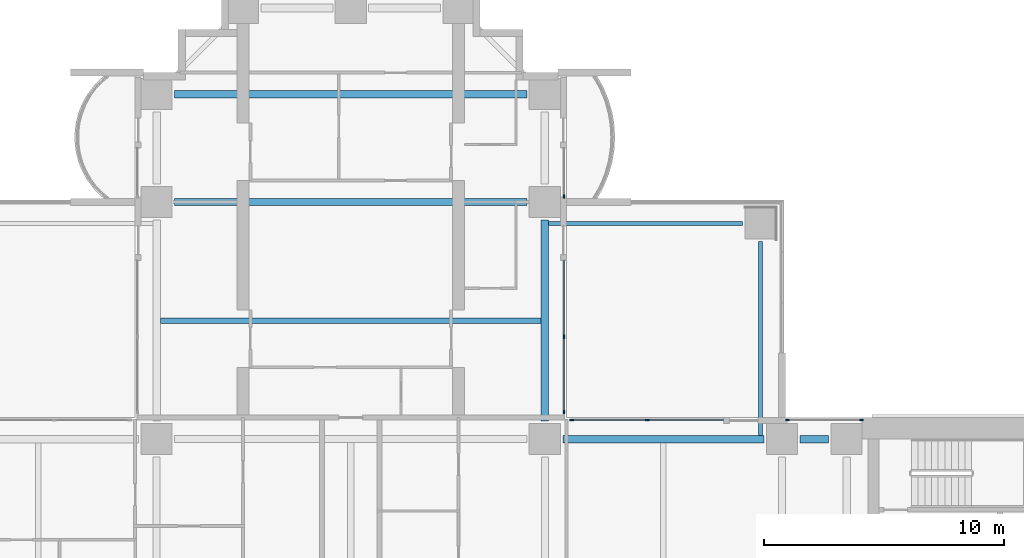
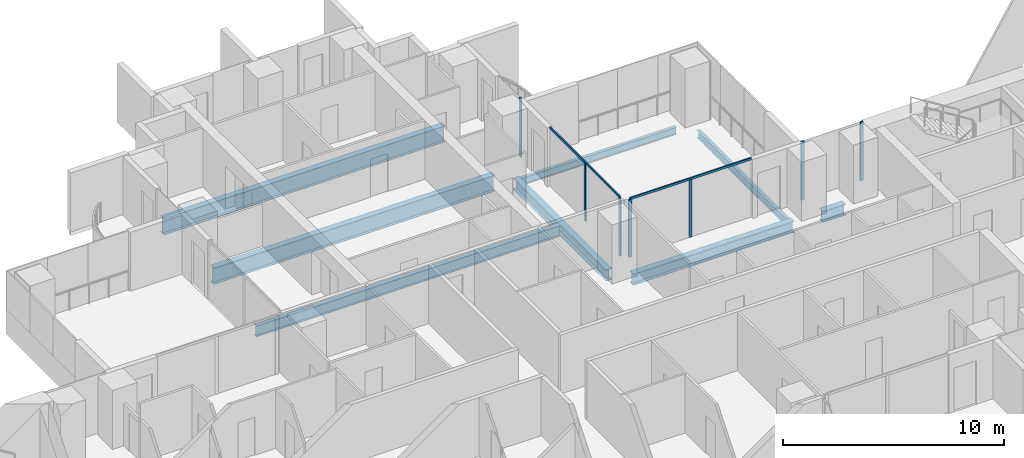
# One storey, part 7 of 23: 9 members, 8 beams, 4 elements without a shape of their own.
"""IFC4 building model written with IfcOpenShell, lengths in metres."""

from ifc_helpers import new_model, si_unit, direction, frame, origin, origin_2d, place, context, subcontext, project, spatial, rectangle, i_section, extrude, material, material_profile, profile_set, type_object, element, aggregate, save


model = new_model("IFC4")

# Units and contexts
model_context = context("Model", 3, precision=1e-05, world=origin(), true_north=direction((0.0, 1.0)))
body_context = subcontext(model_context, "Body", "Model", "MODEL_VIEW")
ifc_project = project(units=[si_unit("LENGTHUNIT", "METRE"), si_unit("AREAUNIT", "SQUARE_METRE"), si_unit("VOLUMEUNIT", "CUBIC_METRE"), si_unit("PLANEANGLEUNIT", "RADIAN"), si_unit("MASSUNIT", "GRAM", prefix="KILO")], contexts=[model_context])

# Site, building, storey
site_placement = place(None, origin())
site = spatial("IfcSite", under=ifc_project, at=site_placement, CompositionType="ELEMENT")
building_placement = place(site_placement, origin())
building = spatial("IfcBuilding", under=site, at=building_placement, Name="Perihelion Cross Residences", CompositionType="ELEMENT")
storey_placement = place(building_placement, frame((0.0, 0.0, 36.5)))
storey = spatial("IfcBuildingStorey", under=building, at=storey_placement, Name="L05", CompositionType="ELEMENT", Elevation=36.5)

# Curtain wall, members
ifc_material_1 = material(Name="Bronze anodised aluminium, tinted glazing", Category="aluminium")
curtain_wall_type = type_object("IfcCurtainWallType", Name="CW1", PredefinedType="NOTDEFINED", material=ifc_material_1)
curtain_wall_1_placement = place(storey_placement, origin())
curtain_wall_1 = element("IfcCurtainWall", 1, at=curtain_wall_1_placement, inside=storey, type_object=curtain_wall_type, Name="Curtain wall CW1 L05 east side north bay 1", PredefinedType="NOTDEFINED")
ifc_material_2 = material(Name="Bronze anodised aluminium", Category="aluminium")
ifc_material_profile_1 = material_profile(ifc_material_2, rectangle(XDim=0.06005859375, YDim=0.159912109375, at=origin_2d()), Name="CW1 mullion")
ifc_profile_set_1 = profile_set([ifc_material_profile_1], Name="Bronze anodised aluminium")
member_type_1 = type_object("IfcMemberType", Name="CW1 mullion", PredefinedType="MULLION", material=ifc_profile_set_1)
member_1_placement = place(storey_placement, frame((21.320068359375, 8.89990234375, 0.0), z_axis=(0.0, 0.0, 1.0), x_axis=(0.0, -1.0, 0.0)))
member_1 = element("IfcMember", 2, at=member_1_placement, type_object=member_type_1, Name="CW1 mullion 1", PredefinedType="MULLION", context=body_context, shape_type="SweptSolid", body=[
    extrude(rectangle(XDim=0.06005859375, YDim=0.159912109375, at=origin_2d()), origin(), (0.0, 0.0, 1.0), 3.25),
])
member_2_placement = place(storey_placement, frame((18.22998046875, 8.89990234375, 0.0), z_axis=(0.0, 0.0, 1.0), x_axis=(0.0, -1.0, 0.0)))
member_2 = element("IfcMember", 3, at=member_2_placement, type_object=member_type_1, Name="CW1 mullion 2", PredefinedType="MULLION", context=body_context, shape_type="SweptSolid", body=[
    extrude(rectangle(XDim=0.06005859375, YDim=0.159912109375, at=origin_2d()), origin(), (0.0, 0.0, 1.0), 3.25),
])
aggregate(curtain_wall_1, [member_1, member_2])

curtain_wall_2_placement = place(storey_placement, origin())
curtain_wall_2 = element("IfcCurtainWall", 4, at=curtain_wall_2_placement, inside=storey, type_object=curtain_wall_type, Name="Curtain wall CW1 L05 east side north bay 2", PredefinedType="NOTDEFINED")
member_3_placement = place(storey_placement, frame((12.375, 8.89990234375, 0.0), z_axis=(0.0, 0.0, 1.0), x_axis=(0.0, -1.0, 0.0)))
member_3 = element("IfcMember", 5, at=member_3_placement, type_object=member_type_1, Name="CW1 mullion 2", PredefinedType="MULLION", context=body_context, shape_type="SweptSolid", body=[
    extrude(rectangle(XDim=0.06005859375, YDim=0.159912109375, at=origin_2d()), origin(), (0.0, 0.0, 1.0), 3.18994140625),
])
member_4_placement = place(storey_placement, frame((9.22998046875, 8.89990234375, 0.0), z_axis=(0.0, 0.0, 1.0), x_axis=(0.0, -1.0, 0.0)))
member_4 = element("IfcMember", 6, at=member_4_placement, type_object=member_type_1, Name="CW1 mullion 3", PredefinedType="MULLION", context=body_context, shape_type="SweptSolid", body=[
    extrude(rectangle(XDim=0.06005859375, YDim=0.159912109375, at=origin_2d()), origin(), (0.0, 0.0, 1.0), 3.18994140625),
])

curtain_wall_3_placement = place(storey_placement, origin())
curtain_wall_3 = element("IfcCurtainWall", 7, at=curtain_wall_3_placement, inside=storey, type_object=curtain_wall_type, Name="Curtain wall CW1 L05 north side east bay 1", PredefinedType="NOTDEFINED")
member_5_placement = place(storey_placement, frame((8.89990234375, 9.22998046875, 0.0), z_axis=(0.0, 0.0, 1.0), x_axis=(-1.0, 0.0, 0.0)))
member_5 = element("IfcMember", 8, at=member_5_placement, type_object=member_type_1, Name="CW1 mullion 1", PredefinedType="MULLION", context=body_context, shape_type="SweptSolid", body=[
    extrude(rectangle(XDim=0.06005859375, YDim=0.159912109375, at=origin_2d()), origin(), (0.0, 0.0, 1.0), 3.18994140625),
])
member_6_placement = place(storey_placement, frame((8.89990234375, 12.375, 0.0), z_axis=(0.0, 0.0, 1.0), x_axis=(-1.0, 0.0, 0.0)))
member_6 = element("IfcMember", 9, at=member_6_placement, type_object=member_type_1, Name="CW1 mullion 2", PredefinedType="MULLION", context=body_context, shape_type="SweptSolid", body=[
    extrude(rectangle(XDim=0.06005859375, YDim=0.159912109375, at=origin_2d()), origin(), (0.0, 0.0, 1.0), 3.18994140625),
])

# Curtain wall, member
curtain_wall_4_placement = place(storey_placement, origin())
curtain_wall_4 = element("IfcCurtainWall", 10, at=curtain_wall_4_placement, inside=storey, type_object=curtain_wall_type, Name="Curtain wall CW1 L05 north side east bay 2", PredefinedType="NOTDEFINED")
member_7_placement = place(storey_placement, frame((8.89990234375, 18.22998046875, 0.0), z_axis=(0.0, 0.0, 1.0), x_axis=(-1.0, 0.0, 0.0)))
member_7 = element("IfcMember", 11, at=member_7_placement, type_object=member_type_1, Name="CW1 mullion 1", PredefinedType="MULLION", context=body_context, shape_type="SweptSolid", body=[
    extrude(rectangle(XDim=0.06005859375, YDim=0.159912109375, at=origin_2d()), origin(), (0.0, 0.0, 1.0), 3.25),
])
aggregate(curtain_wall_4, [member_7])

# Member
ifc_material_3 = material(Name="Bronze anodised aluminium", Category="aluminium")
ifc_material_profile_2 = material_profile(ifc_material_3, rectangle(XDim=0.06005859375, YDim=0.1201171875, at=origin_2d()), Name="CW1 transom")
ifc_profile_set_2 = profile_set([ifc_material_profile_2], Name="Bronze anodised aluminium")
member_type_2 = type_object("IfcMemberType", Name="CW1 transom", PredefinedType="USERDEFINED", material=ifc_profile_set_2)
member_8_placement = place(storey_placement, frame((15.550048828125, 8.89990234375, 3.219970703125), z_axis=(-1.0, 0.0, 0.0), x_axis=(0.0, -1.0, 0.0)))
member_8 = element("IfcMember", 12, at=member_8_placement, type_object=member_type_2, Name="CW1 head transom", ObjectType="TRANSOM", PredefinedType="USERDEFINED", context=body_context, shape_type="SweptSolid", body=[
    extrude(rectangle(XDim=0.06005859375, YDim=0.1201171875, at=origin_2d()), origin(), (0.0, 0.0, 1.0), 6.320068359375),
])

aggregate(curtain_wall_2, [member_3, member_4, member_8])

member_9_placement = place(storey_placement, frame((8.89990234375, 9.22998046875, 3.219970703125), z_axis=(0.0, 1.0, 0.0), x_axis=(-1.0, 0.0, 0.0)))
member_9 = element("IfcMember", 13, at=member_9_placement, type_object=member_type_2, Name="CW1 head transom", ObjectType="TRANSOM", PredefinedType="USERDEFINED", context=body_context, shape_type="SweptSolid", body=[
    extrude(rectangle(XDim=0.06005859375, YDim=0.1201171875, at=origin_2d()), origin(), (0.0, 0.0, 1.0), 6.320068359375),
])

aggregate(curtain_wall_3, [member_5, member_6, member_9])

# Beams
ifc_material_4 = material(Name="Steel S355", Category="steel")
ifc_material_profile_3 = material_profile(ifc_material_4, i_section(OverallWidth=0.177978515625, OverallDepth=0.406005859375, WebThickness=0.0078125, FlangeThickness=0.0126953125, at=origin_2d()), Name="W410x60")
ifc_profile_set_3 = profile_set([ifc_material_profile_3], Name="Steel S355")
beam_type_1 = type_object("IfcBeamType", Name="Core edge beam W410x60", PredefinedType="BEAM", material=ifc_profile_set_3)
for number, where, z_axis, x_axis, name in (
    (14, (17.10009765625, 8.262451171875, -0.452880859375), (0.0, 1.0, 0.0), (-1.0, 0.0, 0.0), "Core edge beam TB2 L05 corner no. 7"),
    (15, (8.262451171875, 17.10009765625, -0.452880859375), (1.0, 0.0, 0.0), (0.0, 1.0, 0.0), "Core edge beam TB2 L05 corner no. 8"),
):
    element("IfcBeam", number, at=place(storey_placement, frame(where, z_axis=z_axis, x_axis=x_axis)), inside=storey, type_object=beam_type_1, Name=name, PredefinedType="BEAM", context=body_context, shape_type="SweptSolid", body=[
        extrude(i_section(OverallWidth=0.177978515625, OverallDepth=0.406005859375, WebThickness=0.0078125, FlangeThickness=0.0126953125, at=origin_2d()), origin(), (0.0, 0.0, 1.0), 8.087646484375),
    ])
ifc_material_5 = material(Name="Steel S355", Category="steel")
ifc_material_profile_4 = material_profile(ifc_material_5, i_section(OverallWidth=0.324951171875, OverallDepth=0.616943359375, WebThickness=0.013916015625, FlangeThickness=0.021484375, at=origin_2d()), Name="W610x174")
ifc_profile_set_4 = profile_set([ifc_material_profile_4], Name="Steel S355")
beam_type_2 = type_object("IfcBeamType", Name="Edge beam W610x174", PredefinedType="SPANDREL", material=ifc_profile_set_4)
beam_1_placement = place(storey_placement, frame((19.949951171875, 8.10009765625, -0.55859375), z_axis=(-1.0, 0.0, 0.0), x_axis=(0.0, -1.0, 0.0)))
element("IfcBeam", 16, at=beam_1_placement, inside=storey, type_object=beam_type_2, Name="Edge beam SB2 L05 no. 14", PredefinedType="SPANDREL", context=body_context, shape_type="SweptSolid", body=[
    extrude(i_section(OverallWidth=0.324951171875, OverallDepth=0.616943359375, WebThickness=0.013916015625, FlangeThickness=0.021484375, at=origin_2d()), origin(), (0.0, 0.0, 1.0), 1.199951171875),
])
for number, where, z_axis, x_axis, name in (
    (17, (17.25, 8.10009765625, -0.55859375), (-1.0, 0.0, 0.0), (0.0, -1.0, 0.0), "Edge beam SB2 L05 no. 13"),
    (18, (8.10009765625, 8.85009765625, -0.55859375), (0.0, 1.0, 0.0), (-1.0, 0.0, 0.0), "Edge beam SB2 L05 no. 20"),
):
    element("IfcBeam", number, at=place(storey_placement, frame(where, z_axis=z_axis, x_axis=x_axis)), inside=storey, type_object=beam_type_2, Name=name, PredefinedType="SPANDREL", context=body_context, shape_type="SweptSolid", body=[
        extrude(i_section(OverallWidth=0.324951171875, OverallDepth=0.616943359375, WebThickness=0.013916015625, FlangeThickness=0.021484375, at=origin_2d()), origin(), (0.0, 0.0, 1.0), 8.39990234375),
    ])
ifc_material_6 = material(Name="Steel S355", Category="steel")
ifc_material_profile_5 = material_profile(ifc_material_6, i_section(OverallWidth=0.304931640625, OverallDepth=0.904052734375, WebThickness=0.01513671875, FlangeThickness=0.02001953125, at=origin_2d()), Name="W920x201")
ifc_profile_set_5 = profile_set([ifc_material_profile_5], Name="Steel S355")
beam_type_3 = type_object("IfcBeamType", Name="Floor girder W920x201", PredefinedType="BEAM", material=ifc_profile_set_5)
for number, where, z_axis, x_axis, name in (
    (19, (-7.35009765625, 18.0, -0.701904296875), (1.0, 0.0, 0.0), (0.0, 1.0, 0.0), "Girder G2 L05 no. 5"),
    (20, (-7.35009765625, 22.5, -0.701904296875), (1.0, 0.0, 0.0), (0.0, 1.0, 0.0), "Girder G2 L05 no. 6"),
):
    element("IfcBeam", number, at=place(storey_placement, frame(where, z_axis=z_axis, x_axis=x_axis)), inside=storey, type_object=beam_type_3, Name=name, PredefinedType="BEAM", context=body_context, shape_type="SweptSolid", body=[
        extrude(i_section(OverallWidth=0.304931640625, OverallDepth=0.904052734375, WebThickness=0.01513671875, FlangeThickness=0.02001953125, at=origin_2d()), origin(), (0.0, 0.0, 1.0), 14.7001953125),
    ])
ifc_material_7 = material(Name="Steel S355", Category="steel")
ifc_material_profile_6 = material_profile(ifc_material_7, i_section(OverallWidth=0.22900390625, OverallDepth=0.612060546875, WebThickness=0.011962890625, FlangeThickness=0.01953125, at=origin_2d()), Name="W610x125")
ifc_profile_set_6 = profile_set([ifc_material_profile_6], Name="Steel S355")
beam_type_4 = type_object("IfcBeamType", Name="Floor joist W610x125", PredefinedType="JOIST", material=ifc_profile_set_6)
beam_2_placement = place(storey_placement, frame((-7.9375, 13.050048828125, -0.555908203125), z_axis=(1.0, 0.0, 0.0), x_axis=(0.0, 1.0, 0.0)))
element("IfcBeam", 21, at=beam_2_placement, inside=storey, type_object=beam_type_4, Name="Joist J3 L05 no. 4", PredefinedType="JOIST", context=body_context, shape_type="SweptSolid", body=[
    extrude(i_section(OverallWidth=0.22900390625, OverallDepth=0.612060546875, WebThickness=0.011962890625, FlangeThickness=0.01953125, at=origin_2d()), origin(), (0.0, 0.0, 1.0), 15.875),
])

save(model, "model.ifc")
